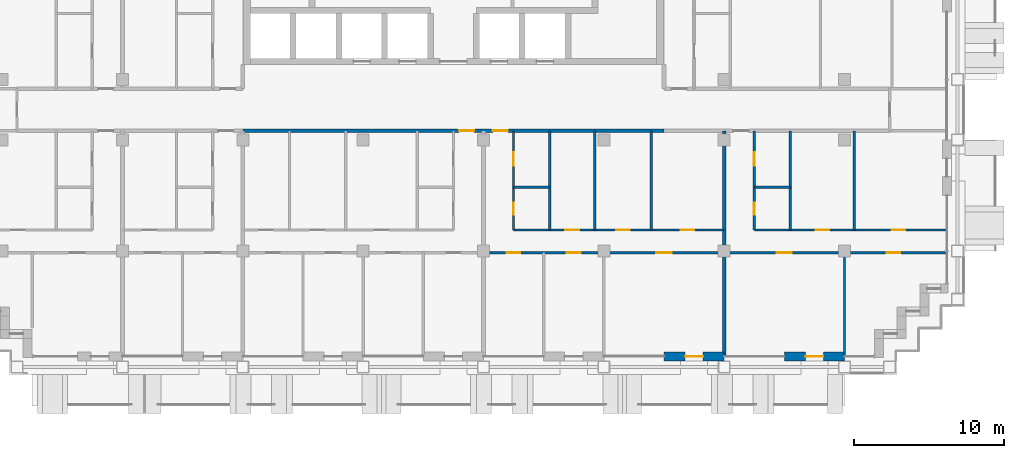
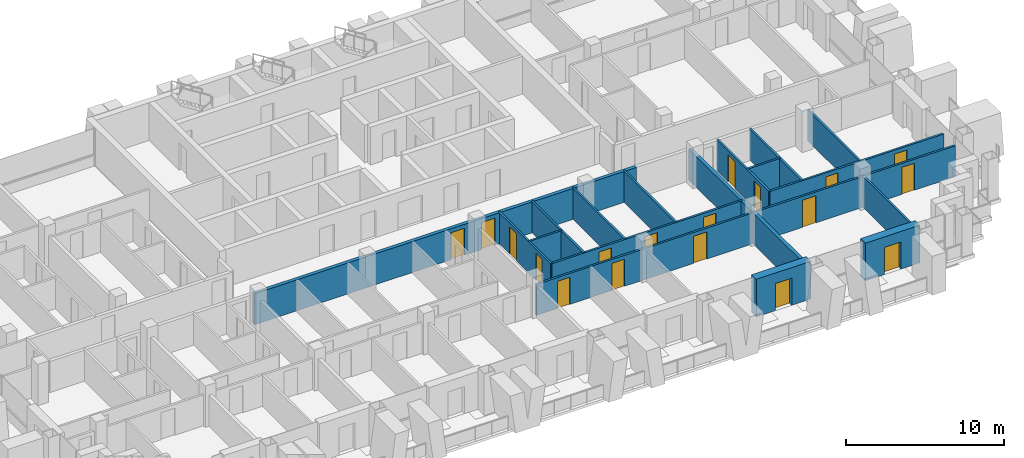
# One storey, part 10 of 18: 18 doors, 18 walls, 18 openings.
"""IFC4 building model written with IfcOpenShell, lengths in metres."""

from ifc_helpers import new_model, si_unit, direction, frame, frame_2d, origin, place, context, subcontext, project, spatial, rectangle, extrude, material, layer, layer_set, type_object, element, fill, save


model = new_model("IFC4")

# Units and contexts
model_context = context("Model", 3, precision=1e-05, world=origin(), true_north=direction((0.0, 1.0)))
body_context = subcontext(model_context, "Body", "Model", "MODEL_VIEW")
ifc_project = project(units=[si_unit("LENGTHUNIT", "METRE"), si_unit("AREAUNIT", "SQUARE_METRE"), si_unit("VOLUMEUNIT", "CUBIC_METRE"), si_unit("PLANEANGLEUNIT", "RADIAN"), si_unit("MASSUNIT", "GRAM", prefix="KILO")], contexts=[model_context])

# Site, building, storey
site_placement = place(None, origin())
site = spatial("IfcSite", under=ifc_project, at=site_placement, CompositionType="ELEMENT")
building_placement = place(site_placement, origin())
building = spatial("IfcBuilding", under=site, at=building_placement, Name="Vidyagriha Tower", CompositionType="ELEMENT")
storey_placement = place(building_placement, frame((0.0, 0.0, 123.0)))
storey = spatial("IfcBuildingStorey", under=building, at=storey_placement, Name="L31", CompositionType="ELEMENT", Elevation=123.0)

# Wall, opening, door
ifc_material_1 = material(Name="Precast concrete C40/50 with brick facing", Category="concrete")
ifc_layer_1 = layer(ifc_material_1, 0.60009765625)
ifc_layer_set_1 = layer_set([ifc_layer_1], Name="Precast concrete C40/50 with brick facing")
wall_type_1 = type_object("IfcWallType", Name="Brick-faced precast wall 600", PredefinedType="STANDARD", material=ifc_layer_set_1)
wall_1_placement = place(storey_placement, frame((14.0, -16.39990234375, 0.0)))
wall_1 = element("IfcWall", 1, at=wall_1_placement, inside=storey, type_object=wall_type_1, Name="Brick door bay wall L31 R23.12", PredefinedType="STANDARD", context=body_context, shape_type="SweptSolid", body=[
    extrude(rectangle(XDim=4.0, YDim=0.60009765625, at=frame_2d((2.0, 0.0))), origin(), (0.0, 0.0, 1.0), 2.919921875),
])
opening_1_placement = place(wall_1_placement, frame((1.39990234375, 0.0, 0.0)))
opening_1 = element("IfcOpeningElement", 2, at=opening_1_placement, cuts=wall_1, Name="Opening D31-80", PredefinedType="OPENING", context=body_context, shape_type="SweptSolid", body=[
    extrude(rectangle(XDim=1.199951171875, YDim=2.10009765625, at=frame_2d((0.60009765625, 1.050048828125))), frame((0.0, 0.31005859375, 0.0), z_axis=(0.0, -1.0, 0.0), x_axis=(1.0, 0.0, 0.0)), (0.0, 0.0, 1.0), 0.6201171875),
])
ifc_material_2 = material(Name="Aluminium framed glazed sliding door", Category="aluminium")
door_type_1 = type_object("IfcDoorType", Name="Balcony sliding door 1200x2100", OperationType="NOTDEFINED", PredefinedType="DOOR", material=ifc_material_2)
door_1_placement = place(opening_1_placement, origin())
door_1 = element("IfcDoor", 3, at=door_1_placement, inside=storey, type_object=door_type_1, Name="Door D31-80", OperationType="SLIDING_TO_LEFT", OverallHeight=2.10009765625, OverallWidth=1.199951171875, PredefinedType="DOOR", context=body_context, shape_type="SweptSolid", body=[
    extrude(rectangle(XDim=1.199951171875, YDim=2.10009765625, at=frame_2d((0.60009765625, 1.050048828125))), frame((0.0, 0.02490234375, 0.0), z_axis=(0.0, -1.0, 0.0), x_axis=(1.0, 0.0, 0.0)), (0.0, 0.0, 1.0), 0.050048828125),
])
fill(opening_1, door_1)

wall_2_placement = place(storey_placement, frame((22.0, -16.39990234375, 0.0)))
wall_2 = element("IfcWall", 4, at=wall_2_placement, inside=storey, type_object=wall_type_1, Name="Brick door bay wall L31 R23.14", PredefinedType="STANDARD", context=body_context, shape_type="SweptSolid", body=[
    extrude(rectangle(XDim=4.0, YDim=0.60009765625, at=frame_2d((2.0, 0.0))), origin(), (0.0, 0.0, 1.0), 2.919921875),
])
opening_2_placement = place(wall_2_placement, frame((1.39990234375, 0.0, 0.0)))
opening_2 = element("IfcOpeningElement", 5, at=opening_2_placement, cuts=wall_2, Name="Opening D31-81", PredefinedType="OPENING", context=body_context, shape_type="SweptSolid", body=[
    extrude(rectangle(XDim=1.199951171875, YDim=2.10009765625, at=frame_2d((0.60009765625, 1.050048828125))), frame((0.0, 0.31005859375, 0.0), z_axis=(0.0, -1.0, 0.0), x_axis=(1.0, 0.0, 0.0)), (0.0, 0.0, 1.0), 0.6201171875),
])
door_2_placement = place(opening_2_placement, origin())
door_2 = element("IfcDoor", 6, at=door_2_placement, inside=storey, type_object=door_type_1, Name="Door D31-81", OperationType="SLIDING_TO_LEFT", OverallHeight=2.10009765625, OverallWidth=1.199951171875, PredefinedType="DOOR", context=body_context, shape_type="SweptSolid", body=[
    extrude(rectangle(XDim=1.199951171875, YDim=2.10009765625, at=frame_2d((0.60009765625, 1.050048828125))), frame((0.0, 0.02490234375, 0.0), z_axis=(0.0, -1.0, 0.0), x_axis=(1.0, 0.0, 0.0)), (0.0, 0.0, 1.0), 0.050048828125),
])
fill(opening_2, door_2)

# Wall, openings, doors
ifc_material_3 = material(Name="Fired clay brick masonry", Category="masonry")
ifc_layer_2 = layer(ifc_material_3, 0.25)
ifc_layer_set_2 = layer_set([ifc_layer_2], Name="Fired clay brick masonry")
wall_type_2 = type_object("IfcWallType", Name="Fired clay brick corridor wall 250", PredefinedType="PARTITIONING", material=ifc_layer_set_2)
wall_3_placement = place(storey_placement, frame((14.0, -1.39990234375, 0.0), z_axis=(0.0, 0.0, 1.0), x_axis=(-1.0, 0.0, 0.0)))
wall_3 = element("IfcWall", 7, at=wall_3_placement, inside=storey, type_object=wall_type_2, Name="Wall all-L31-w134", PredefinedType="PARTITIONING", context=body_context, shape_type="SweptSolid", body=[
    extrude(rectangle(XDim=28.0, YDim=0.25, at=frame_2d((14.0, 0.0))), origin(), (0.0, 0.0, 1.0), 2.39990234375),
])
opening_3_placement = place(wall_3_placement, frame((12.617919921875, 0.0, 0.0)))
opening_3 = element("IfcOpeningElement", 8, at=opening_3_placement, cuts=wall_3, Name="Opening D31-34", PredefinedType="OPENING", context=body_context, shape_type="SweptSolid", body=[
    extrude(rectangle(XDim=1.0, YDim=2.10009765625, at=frame_2d((0.5, 1.050048828125))), frame((0.0, 0.135009765625, 0.0), z_axis=(0.0, -1.0, 0.0), x_axis=(1.0, 0.0, 0.0)), (0.0, 0.0, 1.0), 0.27001953125),
])
opening_4_placement = place(wall_3_placement, frame((10.382080078125, 0.0, 0.0)))
opening_4 = element("IfcOpeningElement", 9, at=opening_4_placement, cuts=wall_3, Name="Opening D31-43", PredefinedType="OPENING", context=body_context, shape_type="SweptSolid", body=[
    extrude(rectangle(XDim=1.0, YDim=2.10009765625, at=frame_2d((0.5, 1.050048828125))), frame((0.0, 0.135009765625, 0.0), z_axis=(0.0, -1.0, 0.0), x_axis=(1.0, 0.0, 0.0)), (0.0, 0.0, 1.0), 0.27001953125),
])
ifc_material_4 = material(Name="Fire-rated timber door leaf EI 60", Category="wood")
door_type_2 = type_object("IfcDoorType", Name="Flat entrance fire door 1000x2100", OperationType="NOTDEFINED", PredefinedType="DOOR", material=ifc_material_4)
door_3_placement = place(opening_3_placement, origin())
door_3 = element("IfcDoor", 10, at=door_3_placement, inside=storey, type_object=door_type_2, Name="Door D31-34", OperationType="SINGLE_SWING_LEFT", OverallHeight=2.10009765625, OverallWidth=1.0, PredefinedType="DOOR", context=body_context, shape_type="SweptSolid", body=[
    extrude(rectangle(XDim=1.0, YDim=2.10009765625, at=frame_2d((0.5, 1.050048828125))), frame((0.0, 0.02490234375, 0.0), z_axis=(0.0, -1.0, 0.0), x_axis=(1.0, 0.0, 0.0)), (0.0, 0.0, 1.0), 0.050048828125),
])
fill(opening_3, door_3)
door_4_placement = place(opening_4_placement, origin())
door_4 = element("IfcDoor", 11, at=door_4_placement, inside=storey, type_object=door_type_2, Name="Door D31-43", OperationType="SINGLE_SWING_RIGHT", OverallHeight=2.10009765625, OverallWidth=1.0, PredefinedType="DOOR", context=body_context, shape_type="SweptSolid", body=[
    extrude(rectangle(XDim=1.0, YDim=2.10009765625, at=frame_2d((0.5, 1.050048828125))), frame((0.0, 0.02490234375, 0.0), z_axis=(0.0, -1.0, 0.0), x_axis=(1.0, 0.0, 0.0)), (0.0, 0.0, 1.0), 0.050048828125),
])
fill(opening_4, door_4)

# Walls
ifc_material_5 = material(Name="Fired clay brick masonry", Category="masonry")
ifc_layer_3 = layer(ifc_material_5, 0.25)
ifc_layer_set_3 = layer_set([ifc_layer_3], Name="Fired clay brick masonry")
wall_type_3 = type_object("IfcWallType", Name="Fired clay brick demising wall 250", PredefinedType="PARTITIONING", material=ifc_layer_set_3)
wall_4_placement = place(storey_placement, frame((18.0, -1.39990234375, 0.0), z_axis=(0.0, 0.0, 1.0), x_axis=(0.0, -1.0, 0.0)))
element("IfcWall", 12, at=wall_4_placement, inside=storey, type_object=wall_type_3, Name="Wall all-L31-w080", PredefinedType="PARTITIONING", context=body_context, shape_type="SweptSolid", body=[
    extrude(rectangle(XDim=14.91015625, YDim=0.25, at=frame_2d((7.455078125, 0.0))), origin(), (0.0, 0.0, 1.0), 2.39990234375),
])
ifc_material_6 = material(Name="Gypsum board partition")
ifc_layer_4 = layer(ifc_material_6, 0.14990234375)
ifc_layer_set_4 = layer_set([ifc_layer_4], Name="Gypsum board partition")
wall_type_4 = type_object("IfcWallType", Name="Gypsum board partition 150", PredefinedType="PARTITIONING", material=ifc_layer_set_4)
wall_5_placement = place(storey_placement, frame((6.39990234375, -5.14990234375, 0.0), z_axis=(0.0, 0.0, 1.0), x_axis=(-1.0, 0.0, 0.0)))
element("IfcWall", 13, at=wall_5_placement, inside=storey, type_object=wall_type_4, Name="Wall all-L31-w050", PredefinedType="PARTITIONING", context=body_context, shape_type="SweptSolid", body=[
    extrude(rectangle(XDim=2.39990234375, YDim=0.14990234375, at=frame_2d((1.199951171875, 0.0))), origin(), (0.0, 0.0, 1.0), 2.39990234375),
])
for number, where, z_axis, x_axis, name in (
    (14, (6.39990234375, -1.39990234375, 0.0), (0.0, 0.0, 1.0), (0.0, -1.0, 0.0), "Wall all-L31-w051"),
    (15, (9.39990234375, -1.39990234375, 0.0), (0.0, 0.0, 1.0), (0.0, -1.0, 0.0), "Wall all-L31-w052"),
    (16, (13.14990234375, -1.39990234375, 0.0), (0.0, 0.0, 1.0), (0.0, -1.0, 0.0), "Wall all-L31-w053"),
):
    element("IfcWall", number, at=place(storey_placement, frame(where, z_axis=z_axis, x_axis=x_axis)), inside=storey, type_object=wall_type_4, Name=name, PredefinedType="PARTITIONING", context=body_context, shape_type="SweptSolid", body=[
        extrude(rectangle(XDim=6.60009765625, YDim=0.14990234375, at=frame_2d((3.300048828125, 0.0))), origin(), (0.0, 0.0, 1.0), 2.39990234375),
    ])

# Wall, openings, doors
wall_6_placement = place(storey_placement, frame((4.0, -8.0, 0.0)))
wall_6 = element("IfcWall", 17, at=wall_6_placement, inside=storey, type_object=wall_type_4, Name="Wall all-L31-w054", PredefinedType="PARTITIONING", context=body_context, shape_type="SweptSolid", body=[
    extrude(rectangle(XDim=14.0, YDim=0.14990234375, at=frame_2d((7.0, 0.0))), origin(), (0.0, 0.0, 1.0), 2.39990234375),
])
opening_5_placement = place(wall_6_placement, frame((3.449951171875, 0.0, 0.0)))
opening_5 = element("IfcOpeningElement", 18, at=opening_5_placement, cuts=wall_6, Name="Opening D31-37", PredefinedType="OPENING", context=body_context, shape_type="SweptSolid", body=[
    extrude(rectangle(XDim=0.89990234375, YDim=2.10009765625, at=frame_2d((0.449951171875, 1.050048828125))), frame((0.0, 0.0849609375, 0.0), z_axis=(0.0, -1.0, 0.0), x_axis=(1.0, 0.0, 0.0)), (0.0, 0.0, 1.0), 0.169921875),
])
opening_6_placement = place(wall_6_placement, frame((6.824951171875, 0.0, 0.0)))
opening_6 = element("IfcOpeningElement", 19, at=opening_6_placement, cuts=wall_6, Name="Opening D31-38", PredefinedType="OPENING", context=body_context, shape_type="SweptSolid", body=[
    extrude(rectangle(XDim=0.89990234375, YDim=2.10009765625, at=frame_2d((0.449951171875, 1.050048828125))), frame((0.0, 0.0849609375, 0.0), z_axis=(0.0, -1.0, 0.0), x_axis=(1.0, 0.0, 0.0)), (0.0, 0.0, 1.0), 0.169921875),
])
opening_7_placement = place(wall_6_placement, frame((11.125, 0.0, 0.0)))
opening_7 = element("IfcOpeningElement", 20, at=opening_7_placement, cuts=wall_6, Name="Opening D31-39", PredefinedType="OPENING", context=body_context, shape_type="SweptSolid", body=[
    extrude(rectangle(XDim=0.89990234375, YDim=2.10009765625, at=frame_2d((0.449951171875, 1.050048828125))), frame((0.0, 0.0849609375, 0.0), z_axis=(0.0, -1.0, 0.0), x_axis=(1.0, 0.0, 0.0)), (0.0, 0.0, 1.0), 0.169921875),
])
ifc_material_7 = material(Name="Timber door leaf", Category="wood")
door_type_3 = type_object("IfcDoorType", Name="Room door 900x2100", OperationType="NOTDEFINED", PredefinedType="DOOR", material=ifc_material_7)
door_5_placement = place(opening_5_placement, origin())
door_5 = element("IfcDoor", 21, at=door_5_placement, inside=storey, type_object=door_type_3, Name="Door D31-37", OperationType="SINGLE_SWING_RIGHT", OverallHeight=2.10009765625, OverallWidth=0.89990234375, PredefinedType="DOOR", context=body_context, shape_type="SweptSolid", body=[
    extrude(rectangle(XDim=0.89990234375, YDim=2.10009765625, at=frame_2d((0.449951171875, 1.050048828125))), frame((0.0, 0.02490234375, 0.0), z_axis=(0.0, -1.0, 0.0), x_axis=(1.0, 0.0, 0.0)), (0.0, 0.0, 1.0), 0.050048828125),
])
fill(opening_5, door_5)
door_6_placement = place(opening_6_placement, origin())
door_6 = element("IfcDoor", 22, at=door_6_placement, inside=storey, type_object=door_type_3, Name="Door D31-38", OperationType="SINGLE_SWING_RIGHT", OverallHeight=2.10009765625, OverallWidth=0.89990234375, PredefinedType="DOOR", context=body_context, shape_type="SweptSolid", body=[
    extrude(rectangle(XDim=0.89990234375, YDim=2.10009765625, at=frame_2d((0.449951171875, 1.050048828125))), frame((0.0, 0.02490234375, 0.0), z_axis=(0.0, -1.0, 0.0), x_axis=(1.0, 0.0, 0.0)), (0.0, 0.0, 1.0), 0.050048828125),
])
fill(opening_6, door_6)
door_7_placement = place(opening_7_placement, origin())
door_7 = element("IfcDoor", 23, at=door_7_placement, inside=storey, type_object=door_type_3, Name="Door D31-39", OperationType="SINGLE_SWING_LEFT", OverallHeight=2.10009765625, OverallWidth=0.89990234375, PredefinedType="DOOR", context=body_context, shape_type="SweptSolid", body=[
    extrude(rectangle(XDim=0.89990234375, YDim=2.10009765625, at=frame_2d((0.449951171875, 1.050048828125))), frame((0.0, 0.02490234375, 0.0), z_axis=(0.0, -1.0, 0.0), x_axis=(1.0, 0.0, 0.0)), (0.0, 0.0, 1.0), 0.050048828125),
])
fill(opening_7, door_7)

wall_7_placement = place(storey_placement, frame((18.0, -9.5, 0.0), z_axis=(0.0, 0.0, 1.0), x_axis=(-1.0, 0.0, 0.0)))
wall_7 = element("IfcWall", 24, at=wall_7_placement, inside=storey, type_object=wall_type_4, Name="Wall all-L31-w058", PredefinedType="PARTITIONING", context=body_context, shape_type="SweptSolid", body=[
    extrude(rectangle(XDim=16.0, YDim=0.14990234375, at=frame_2d((8.0, 0.0))), origin(), (0.0, 0.0, 1.0), 2.39990234375),
])
opening_8_placement = place(wall_7_placement, frame((13.550048828125, 0.0, 0.0)))
opening_8 = element("IfcOpeningElement", 25, at=opening_8_placement, cuts=wall_7, Name="Opening D31-40", PredefinedType="OPENING", context=body_context, shape_type="SweptSolid", body=[
    extrude(rectangle(XDim=0.89990234375, YDim=2.10009765625, at=frame_2d((0.449951171875, 1.050048828125))), frame((0.0, 0.0849609375, 0.0), z_axis=(0.0, -1.0, 0.0), x_axis=(1.0, 0.0, 0.0)), (0.0, 0.0, 1.0), 0.169921875),
])
opening_9_placement = place(wall_7_placement, frame((9.550048828125, 0.0, 0.0)))
opening_9 = element("IfcOpeningElement", 26, at=opening_9_placement, cuts=wall_7, Name="Opening D31-41", PredefinedType="OPENING", context=body_context, shape_type="SweptSolid", body=[
    extrude(rectangle(XDim=0.89990234375, YDim=2.10009765625, at=frame_2d((0.449951171875, 1.050048828125))), frame((0.0, 0.0849609375, 0.0), z_axis=(0.0, -1.0, 0.0), x_axis=(1.0, 0.0, 0.0)), (0.0, 0.0, 1.0), 0.169921875),
])
opening_10_placement = place(wall_7_placement, frame((3.5, 0.0, 0.0)))
opening_10 = element("IfcOpeningElement", 27, at=opening_10_placement, cuts=wall_7, Name="Opening D31-42", PredefinedType="OPENING", context=body_context, shape_type="SweptSolid", body=[
    extrude(rectangle(XDim=1.0, YDim=2.10009765625, at=frame_2d((0.5, 1.050048828125))), frame((0.0, 0.0849609375, 0.0), z_axis=(0.0, -1.0, 0.0), x_axis=(1.0, 0.0, 0.0)), (0.0, 0.0, 1.0), 0.169921875),
])
ifc_material_8 = material(Name="Timber door leaf", Category="wood")
door_type_4 = type_object("IfcDoorType", Name="Room door 1000x2100", OperationType="NOTDEFINED", PredefinedType="DOOR", material=ifc_material_8)
door_8_placement = place(opening_10_placement, origin())
door_8 = element("IfcDoor", 28, at=door_8_placement, inside=storey, type_object=door_type_4, Name="Door D31-42", OperationType="SINGLE_SWING_RIGHT", OverallHeight=2.10009765625, OverallWidth=1.0, PredefinedType="DOOR", context=body_context, shape_type="SweptSolid", body=[
    extrude(rectangle(XDim=1.0, YDim=2.10009765625, at=frame_2d((0.5, 1.050048828125))), frame((0.0, 0.02490234375, 0.0), z_axis=(0.0, -1.0, 0.0), x_axis=(1.0, 0.0, 0.0)), (0.0, 0.0, 1.0), 0.050048828125),
])
fill(opening_10, door_8)
door_9_placement = place(opening_8_placement, origin())
door_9 = element("IfcDoor", 29, at=door_9_placement, inside=storey, type_object=door_type_3, Name="Door D31-40", OperationType="SINGLE_SWING_RIGHT", OverallHeight=2.10009765625, OverallWidth=0.89990234375, PredefinedType="DOOR", context=body_context, shape_type="SweptSolid", body=[
    extrude(rectangle(XDim=0.89990234375, YDim=2.10009765625, at=frame_2d((0.449951171875, 1.050048828125))), frame((0.0, 0.02490234375, 0.0), z_axis=(0.0, -1.0, 0.0), x_axis=(1.0, 0.0, 0.0)), (0.0, 0.0, 1.0), 0.050048828125),
])
fill(opening_8, door_9)
door_10_placement = place(opening_9_placement, origin())
door_10 = element("IfcDoor", 30, at=door_10_placement, inside=storey, type_object=door_type_3, Name="Door D31-41", OperationType="SINGLE_SWING_RIGHT", OverallHeight=2.10009765625, OverallWidth=0.89990234375, PredefinedType="DOOR", context=body_context, shape_type="SweptSolid", body=[
    extrude(rectangle(XDim=0.89990234375, YDim=2.10009765625, at=frame_2d((0.449951171875, 1.050048828125))), frame((0.0, 0.02490234375, 0.0), z_axis=(0.0, -1.0, 0.0), x_axis=(1.0, 0.0, 0.0)), (0.0, 0.0, 1.0), 0.050048828125),
])
fill(opening_9, door_10)

# Walls
wall_8_placement = place(storey_placement, frame((22.39990234375, -5.14990234375, 0.0), z_axis=(0.0, 0.0, 1.0), x_axis=(-1.0, 0.0, 0.0)))
element("IfcWall", 31, at=wall_8_placement, inside=storey, type_object=wall_type_4, Name="Wall all-L31-w069", PredefinedType="PARTITIONING", context=body_context, shape_type="SweptSolid", body=[
    extrude(rectangle(XDim=2.39990234375, YDim=0.14990234375, at=frame_2d((1.199951171875, 0.0))), origin(), (0.0, 0.0, 1.0), 2.39990234375),
])
for number, where, z_axis, x_axis, name in (
    (32, (22.39990234375, -1.39990234375, 0.0), (0.0, 0.0, 1.0), (0.0, -1.0, 0.0), "Wall all-L31-w070"),
    (33, (26.64990234375, -1.39990234375, 0.0), (0.0, 0.0, 1.0), (0.0, -1.0, 0.0), "Wall all-L31-w071"),
):
    element("IfcWall", number, at=place(storey_placement, frame(where, z_axis=z_axis, x_axis=x_axis)), inside=storey, type_object=wall_type_4, Name=name, PredefinedType="PARTITIONING", context=body_context, shape_type="SweptSolid", body=[
        extrude(rectangle(XDim=6.60009765625, YDim=0.14990234375, at=frame_2d((3.300048828125, 0.0))), origin(), (0.0, 0.0, 1.0), 2.39990234375),
    ])

# Wall, openings, doors
wall_9_placement = place(storey_placement, frame((20.0, -8.0, 0.0)))
wall_9 = element("IfcWall", 34, at=wall_9_placement, inside=storey, type_object=wall_type_4, Name="Wall all-L31-w072", PredefinedType="PARTITIONING", context=body_context, shape_type="SweptSolid", body=[
    extrude(rectangle(XDim=12.719970703125, YDim=0.14990234375, at=frame_2d((6.35986328125, 0.0))), origin(), (0.0, 0.0, 1.0), 2.39990234375),
])
opening_11_placement = place(wall_9_placement, frame((4.074951171875, 0.0, 0.0)))
opening_11 = element("IfcOpeningElement", 35, at=opening_11_placement, cuts=wall_9, Name="Opening D31-46", PredefinedType="OPENING", context=body_context, shape_type="SweptSolid", body=[
    extrude(rectangle(XDim=0.89990234375, YDim=2.10009765625, at=frame_2d((0.449951171875, 1.050048828125))), frame((0.0, 0.0849609375, 0.0), z_axis=(0.0, -1.0, 0.0), x_axis=(1.0, 0.0, 0.0)), (0.0, 0.0, 1.0), 0.169921875),
])
opening_12_placement = place(wall_9_placement, frame((9.125, 0.0, 0.0)))
opening_12 = element("IfcOpeningElement", 36, at=opening_12_placement, cuts=wall_9, Name="Opening D31-47", PredefinedType="OPENING", context=body_context, shape_type="SweptSolid", body=[
    extrude(rectangle(XDim=0.89990234375, YDim=2.10009765625, at=frame_2d((0.449951171875, 1.050048828125))), frame((0.0, 0.0849609375, 0.0), z_axis=(0.0, -1.0, 0.0), x_axis=(1.0, 0.0, 0.0)), (0.0, 0.0, 1.0), 0.169921875),
])
door_11_placement = place(opening_11_placement, origin())
door_11 = element("IfcDoor", 37, at=door_11_placement, inside=storey, type_object=door_type_3, Name="Door D31-46", OperationType="SINGLE_SWING_RIGHT", OverallHeight=2.10009765625, OverallWidth=0.89990234375, PredefinedType="DOOR", context=body_context, shape_type="SweptSolid", body=[
    extrude(rectangle(XDim=0.89990234375, YDim=2.10009765625, at=frame_2d((0.449951171875, 1.050048828125))), frame((0.0, 0.02490234375, 0.0), z_axis=(0.0, -1.0, 0.0), x_axis=(1.0, 0.0, 0.0)), (0.0, 0.0, 1.0), 0.050048828125),
])
fill(opening_11, door_11)
door_12_placement = place(opening_12_placement, origin())
door_12 = element("IfcDoor", 38, at=door_12_placement, inside=storey, type_object=door_type_3, Name="Door D31-47", OperationType="SINGLE_SWING_RIGHT", OverallHeight=2.10009765625, OverallWidth=0.89990234375, PredefinedType="DOOR", context=body_context, shape_type="SweptSolid", body=[
    extrude(rectangle(XDim=0.89990234375, YDim=2.10009765625, at=frame_2d((0.449951171875, 1.050048828125))), frame((0.0, 0.02490234375, 0.0), z_axis=(0.0, -1.0, 0.0), x_axis=(1.0, 0.0, 0.0)), (0.0, 0.0, 1.0), 0.050048828125),
])
fill(opening_12, door_12)

wall_10_placement = place(storey_placement, frame((32.719970703125, -9.5, 0.0), z_axis=(0.0, 0.0, 1.0), x_axis=(-1.0, 0.0, 0.0)))
wall_10 = element("IfcWall", 39, at=wall_10_placement, inside=storey, type_object=wall_type_4, Name="Wall all-L31-w075", PredefinedType="PARTITIONING", context=body_context, shape_type="SweptSolid", body=[
    extrude(rectangle(XDim=14.719970703125, YDim=0.14990234375, at=frame_2d((7.35986328125, 0.0))), origin(), (0.0, 0.0, 1.0), 2.39990234375),
])
opening_13_placement = place(wall_10_placement, frame((10.219970703125, 0.0, 0.0)))
opening_13 = element("IfcOpeningElement", 40, at=opening_13_placement, cuts=wall_10, Name="Opening D31-48", PredefinedType="OPENING", context=body_context, shape_type="SweptSolid", body=[
    extrude(rectangle(XDim=1.0, YDim=2.10009765625, at=frame_2d((0.5, 1.050048828125))), frame((0.0, 0.0849609375, 0.0), z_axis=(0.0, -1.0, 0.0), x_axis=(1.0, 0.0, 0.0)), (0.0, 0.0, 1.0), 0.169921875),
])
opening_14_placement = place(wall_10_placement, frame((3.02001953125, 0.0, 0.0)))
opening_14 = element("IfcOpeningElement", 41, at=opening_14_placement, cuts=wall_10, Name="Opening D31-49", PredefinedType="OPENING", context=body_context, shape_type="SweptSolid", body=[
    extrude(rectangle(XDim=0.89990234375, YDim=2.10009765625, at=frame_2d((0.449951171875, 1.050048828125))), frame((0.0, 0.0849609375, 0.0), z_axis=(0.0, -1.0, 0.0), x_axis=(1.0, 0.0, 0.0)), (0.0, 0.0, 1.0), 0.169921875),
])
door_13_placement = place(opening_13_placement, origin())
door_13 = element("IfcDoor", 42, at=door_13_placement, inside=storey, type_object=door_type_4, Name="Door D31-48", OperationType="SINGLE_SWING_RIGHT", OverallHeight=2.10009765625, OverallWidth=1.0, PredefinedType="DOOR", context=body_context, shape_type="SweptSolid", body=[
    extrude(rectangle(XDim=1.0, YDim=2.10009765625, at=frame_2d((0.5, 1.050048828125))), frame((0.0, 0.02490234375, 0.0), z_axis=(0.0, -1.0, 0.0), x_axis=(1.0, 0.0, 0.0)), (0.0, 0.0, 1.0), 0.050048828125),
])
fill(opening_13, door_13)
door_14_placement = place(opening_14_placement, origin())
door_14 = element("IfcDoor", 43, at=door_14_placement, inside=storey, type_object=door_type_3, Name="Door D31-49", OperationType="SINGLE_SWING_RIGHT", OverallHeight=2.10009765625, OverallWidth=0.89990234375, PredefinedType="DOOR", context=body_context, shape_type="SweptSolid", body=[
    extrude(rectangle(XDim=0.89990234375, YDim=2.10009765625, at=frame_2d((0.449951171875, 1.050048828125))), frame((0.0, 0.02490234375, 0.0), z_axis=(0.0, -1.0, 0.0), x_axis=(1.0, 0.0, 0.0)), (0.0, 0.0, 1.0), 0.050048828125),
])
fill(opening_14, door_14)

# Wall
wall_11_placement = place(storey_placement, frame((26.0, -9.5, 0.0), z_axis=(0.0, 0.0, 1.0), x_axis=(0.0, -1.0, 0.0)))
element("IfcWall", 44, at=wall_11_placement, inside=storey, type_object=wall_type_4, Name="Wall all-L31-w078", PredefinedType="PARTITIONING", context=body_context, shape_type="SweptSolid", body=[
    extrude(rectangle(XDim=6.81005859375, YDim=0.14990234375, at=frame_2d((3.405029296875, 0.0))), origin(), (0.0, 0.0, 1.0), 2.39990234375),
])

# Wall, openings, doors
ifc_material_9 = material(Name="Moisture resistant gypsum board partition")
ifc_layer_5 = layer(ifc_material_9, 0.14990234375)
ifc_layer_set_5 = layer_set([ifc_layer_5], Name="Moisture resistant gypsum board partition")
wall_type_5 = type_object("IfcWallType", Name="Gypsum board wet-area partition 150", PredefinedType="PARTITIONING", material=ifc_layer_set_5)
wall_12_placement = place(storey_placement, frame((4.0, -1.39990234375, 0.0), z_axis=(0.0, 0.0, 1.0), x_axis=(0.0, -1.0, 0.0)))
wall_12 = element("IfcWall", 45, at=wall_12_placement, inside=storey, type_object=wall_type_5, Name="Wall all-L31-w047", PredefinedType="PARTITIONING", context=body_context, shape_type="SweptSolid", body=[
    extrude(rectangle(XDim=6.60009765625, YDim=0.14990234375, at=frame_2d((3.300048828125, 0.0))), origin(), (0.0, 0.0, 1.0), 2.39990234375),
])
opening_15_placement = place(wall_12_placement, frame((1.425048828125, 0.0, 0.0)))
opening_15 = element("IfcOpeningElement", 46, at=opening_15_placement, cuts=wall_12, Name="Opening D31-35", PredefinedType="OPENING", context=body_context, shape_type="SweptSolid", body=[
    extrude(rectangle(XDim=0.89990234375, YDim=2.10009765625, at=frame_2d((0.449951171875, 1.050048828125))), frame((0.0, 0.0849609375, 0.0), z_axis=(0.0, -1.0, 0.0), x_axis=(1.0, 0.0, 0.0)), (0.0, 0.0, 1.0), 0.169921875),
])
opening_16_placement = place(wall_12_placement, frame((4.77490234375, 0.0, 0.0)))
opening_16 = element("IfcOpeningElement", 47, at=opening_16_placement, cuts=wall_12, Name="Opening D31-36", PredefinedType="OPENING", context=body_context, shape_type="SweptSolid", body=[
    extrude(rectangle(XDim=0.800048828125, YDim=2.10009765625, at=frame_2d((0.39990234375, 1.050048828125))), frame((0.0, 0.0849609375, 0.0), z_axis=(0.0, -1.0, 0.0), x_axis=(1.0, 0.0, 0.0)), (0.0, 0.0, 1.0), 0.169921875),
])
ifc_material_10 = material(Name="Timber door leaf", Category="wood")
door_type_5 = type_object("IfcDoorType", Name="Bathroom door 800x2100", OperationType="NOTDEFINED", PredefinedType="DOOR", material=ifc_material_10)
door_15_placement = place(opening_16_placement, origin())
door_15 = element("IfcDoor", 48, at=door_15_placement, inside=storey, type_object=door_type_5, Name="Door D31-36", OperationType="SINGLE_SWING_RIGHT", OverallHeight=2.10009765625, OverallWidth=0.800048828125, PredefinedType="DOOR", context=body_context, shape_type="SweptSolid", body=[
    extrude(rectangle(XDim=0.800048828125, YDim=2.10009765625, at=frame_2d((0.39990234375, 1.050048828125))), frame((0.0, 0.02490234375, 0.0), z_axis=(0.0, -1.0, 0.0), x_axis=(1.0, 0.0, 0.0)), (0.0, 0.0, 1.0), 0.050048828125),
])
fill(opening_16, door_15)
ifc_material_11 = material(Name="Timber door leaf", Category="wood")
door_type_6 = type_object("IfcDoorType", Name="Kitchen door 900x2100", OperationType="NOTDEFINED", PredefinedType="DOOR", material=ifc_material_11)
door_16_placement = place(opening_15_placement, origin())
door_16 = element("IfcDoor", 49, at=door_16_placement, inside=storey, type_object=door_type_6, Name="Door D31-35", OperationType="SINGLE_SWING_LEFT", OverallHeight=2.10009765625, OverallWidth=0.89990234375, PredefinedType="DOOR", context=body_context, shape_type="SweptSolid", body=[
    extrude(rectangle(XDim=0.89990234375, YDim=2.10009765625, at=frame_2d((0.449951171875, 1.050048828125))), frame((0.0, 0.02490234375, 0.0), z_axis=(0.0, -1.0, 0.0), x_axis=(1.0, 0.0, 0.0)), (0.0, 0.0, 1.0), 0.050048828125),
])
fill(opening_15, door_16)

wall_13_placement = place(storey_placement, frame((20.0, -1.39990234375, 0.0), z_axis=(0.0, 0.0, 1.0), x_axis=(0.0, -1.0, 0.0)))
wall_13 = element("IfcWall", 50, at=wall_13_placement, inside=storey, type_object=wall_type_5, Name="Wall all-L31-w066", PredefinedType="PARTITIONING", context=body_context, shape_type="SweptSolid", body=[
    extrude(rectangle(XDim=6.60009765625, YDim=0.14990234375, at=frame_2d((3.300048828125, 0.0))), origin(), (0.0, 0.0, 1.0), 2.39990234375),
])
opening_17_placement = place(wall_13_placement, frame((1.425048828125, 0.0, 0.0)))
opening_17 = element("IfcOpeningElement", 51, at=opening_17_placement, cuts=wall_13, Name="Opening D31-44", PredefinedType="OPENING", context=body_context, shape_type="SweptSolid", body=[
    extrude(rectangle(XDim=0.89990234375, YDim=2.10009765625, at=frame_2d((0.449951171875, 1.050048828125))), frame((0.0, 0.0849609375, 0.0), z_axis=(0.0, -1.0, 0.0), x_axis=(1.0, 0.0, 0.0)), (0.0, 0.0, 1.0), 0.169921875),
])
opening_18_placement = place(wall_13_placement, frame((4.77490234375, 0.0, 0.0)))
opening_18 = element("IfcOpeningElement", 52, at=opening_18_placement, cuts=wall_13, Name="Opening D31-45", PredefinedType="OPENING", context=body_context, shape_type="SweptSolid", body=[
    extrude(rectangle(XDim=0.800048828125, YDim=2.10009765625, at=frame_2d((0.39990234375, 1.050048828125))), frame((0.0, 0.0849609375, 0.0), z_axis=(0.0, -1.0, 0.0), x_axis=(1.0, 0.0, 0.0)), (0.0, 0.0, 1.0), 0.169921875),
])
door_17_placement = place(opening_18_placement, origin())
door_17 = element("IfcDoor", 53, at=door_17_placement, inside=storey, type_object=door_type_5, Name="Door D31-45", OperationType="SINGLE_SWING_RIGHT", OverallHeight=2.10009765625, OverallWidth=0.800048828125, PredefinedType="DOOR", context=body_context, shape_type="SweptSolid", body=[
    extrude(rectangle(XDim=0.800048828125, YDim=2.10009765625, at=frame_2d((0.39990234375, 1.050048828125))), frame((0.0, 0.02490234375, 0.0), z_axis=(0.0, -1.0, 0.0), x_axis=(1.0, 0.0, 0.0)), (0.0, 0.0, 1.0), 0.050048828125),
])
fill(opening_18, door_17)
door_18_placement = place(opening_17_placement, origin())
door_18 = element("IfcDoor", 54, at=door_18_placement, inside=storey, type_object=door_type_6, Name="Door D31-44", OperationType="SINGLE_SWING_LEFT", OverallHeight=2.10009765625, OverallWidth=0.89990234375, PredefinedType="DOOR", context=body_context, shape_type="SweptSolid", body=[
    extrude(rectangle(XDim=0.89990234375, YDim=2.10009765625, at=frame_2d((0.449951171875, 1.050048828125))), frame((0.0, 0.02490234375, 0.0), z_axis=(0.0, -1.0, 0.0), x_axis=(1.0, 0.0, 0.0)), (0.0, 0.0, 1.0), 0.050048828125),
])
fill(opening_17, door_18)

save(model, "model.ifc")
